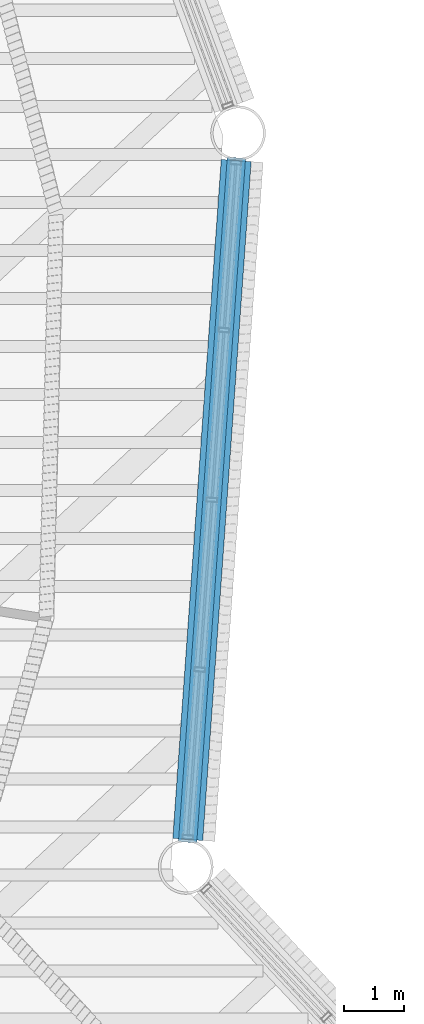
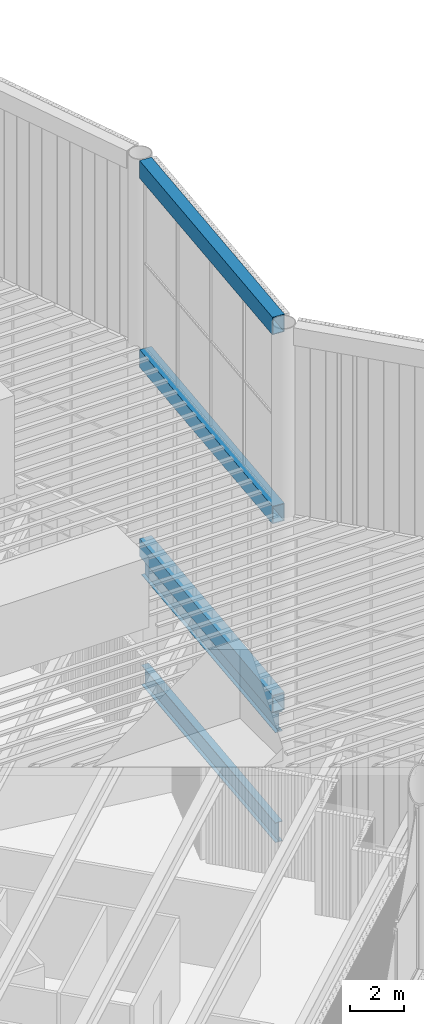
# One storey, part 71 of 117: 5 beams.
"""IFC4 building model written with IfcOpenShell, lengths in metres."""

from ifc_helpers import new_model, si_unit, direction, frame, origin, origin_2d, place, context, subcontext, project, spatial, hollow_rectangle, i_section, extrude, material, material_profile, profile_set, type_object, element, save


model = new_model("IFC4")

# Units and contexts
model_context = context("Model", 3, precision=1e-05, world=origin(), true_north=direction((0.0, 1.0)))
body_context = subcontext(model_context, "Body", "Model", "MODEL_VIEW")
ifc_project = project(units=[si_unit("LENGTHUNIT", "METRE"), si_unit("AREAUNIT", "SQUARE_METRE"), si_unit("VOLUMEUNIT", "CUBIC_METRE"), si_unit("PLANEANGLEUNIT", "RADIAN"), si_unit("MASSUNIT", "GRAM", prefix="KILO")], contexts=[model_context])

# Site, building, storey
site_placement = place(None, origin())
site = spatial("IfcSite", under=ifc_project, at=site_placement, CompositionType="ELEMENT")
building_placement = place(site_placement, origin())
building = spatial("IfcBuilding", under=site, at=building_placement, Name="Tarsis Ring Headquarters", CompositionType="ELEMENT")
storey_placement = place(building_placement, frame((0.0, 0.0, 403.60009765625)))
storey = spatial("IfcBuildingStorey", under=building, at=storey_placement, Name="L95", CompositionType="ELEMENT", Elevation=403.60009765625)

# Beams
ifc_material = material(Name="Structural steel S355", Category="steel")
ifc_material_profile_1 = material_profile(ifc_material, hollow_rectangle(XDim=0.5, YDim=0.800048828125, WallThickness=0.030029296875, at=origin_2d()), Name="RHS 800x500x30")
ifc_profile_set_1 = profile_set([ifc_material_profile_1], Name="Structural steel S355")
beam_type_1 = type_object("IfcBeamType", Name="Crown frame ring beam RHS 800x500x30", PredefinedType="BEAM", material=ifc_profile_set_1)
for number, where, z_axis, x_axis, name in (
    (1, (27.92041015625, -7.6728515625, 5.39990234375), (0.071142963174, 0.997466129145, 0.0), (-0.997466129145, 0.071142963174, 0.0), "Crown frame ring beam R6"),
    (2, (27.92041015625, -7.6728515625, 14.0), (0.071142963174, 0.997466129145, 0.0), (-0.997466129145, 0.071142963174, 0.0), "Crown frame ring beam M6"),
    (3, (27.92041015625, -7.6728515625, 22.599853515625), (0.071142963174, 0.997466129145, 0.0), (-0.997466129145, 0.071142963174, 0.0), "Crown frame ring beam T6"),
):
    element("IfcBeam", number, at=place(storey_placement, frame(where, z_axis=z_axis, x_axis=x_axis)), inside=storey, type_object=beam_type_1, Name=name, PredefinedType="BEAM", context=body_context, shape_type="SweptSolid", body=[
        extrude(hollow_rectangle(XDim=0.5, YDim=0.800048828125, WallThickness=0.030029296875, at=origin_2d()), origin(), (0.0, 0.0, 1.0), 11.3349609375),
    ])
ifc_material_profile_2 = material_profile(ifc_material, i_section(OverallWidth=0.3046875, OverallDepth=0.904296875, WebThickness=0.01513671875, FlangeThickness=0.02001953125, at=origin_2d()), Name="W36x135")
ifc_profile_set_2 = profile_set([ifc_material_profile_2], Name="Structural steel S355")
beam_type_2 = type_object("IfcBeamType", Name="XG Ring girder W36x135", PredefinedType="BEAM", material=ifc_profile_set_2)
for number, where, z_axis, x_axis, name in (
    (4, (27.917236328125, -7.71826171875, -0.4521484375), (0.071131644556, 0.997466936366, 0.0), (-0.997466936366, 0.071131644556, 0.0), "Ring girder XG5"),
    (5, (27.917236328125, -7.71826171875, 4.5478515625), (0.071131644556, 0.997466936366, 0.0), (-0.997466936366, 0.071131644556, 0.0), "Ring girder XG5"),
):
    element("IfcBeam", number, at=place(storey_placement, frame(where, z_axis=z_axis, x_axis=x_axis)), inside=storey, type_object=beam_type_2, Name=name, PredefinedType="BEAM", context=body_context, shape_type="SweptSolid", body=[
        extrude(i_section(OverallWidth=0.3046875, OverallDepth=0.904296875, WebThickness=0.01513671875, FlangeThickness=0.02001953125, at=origin_2d()), origin(), (0.0, 0.0, 1.0), 11.426025390625),
    ])

save(model, "model.ifc")
